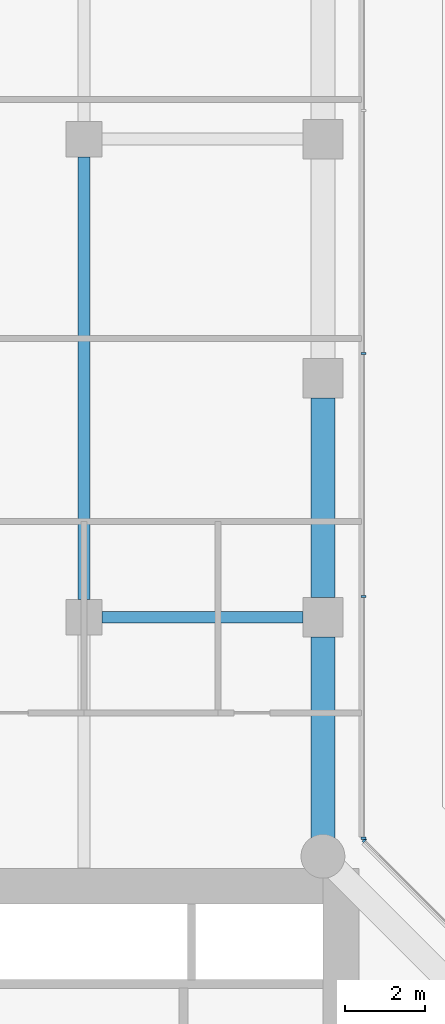
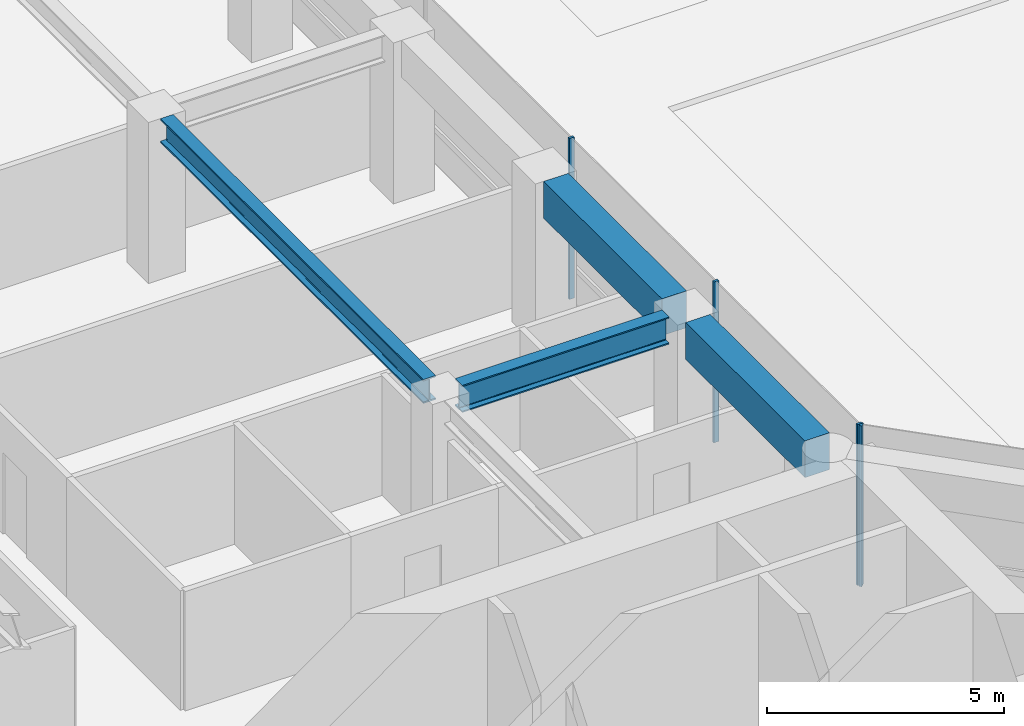
# One storey, part 12 of 31: 4 beams, 4 members, 2 elements without a shape of their own.
"""IFC4 building model written with IfcOpenShell, lengths in metres."""

from ifc_helpers import new_model, si_unit, direction, frame, origin, origin_2d, place, context, subcontext, project, spatial, rectangle, i_section, extrude, material, layer, layer_set, material_profile, profile_set, type_object, element, aggregate, save


model = new_model("IFC4")

# Units and contexts
model_context = context("Model", 3, precision=1e-05, world=origin(), true_north=direction((0.0, 1.0)))
body_context = subcontext(model_context, "Body", "Model", "MODEL_VIEW")
ifc_project = project(units=[si_unit("LENGTHUNIT", "METRE"), si_unit("AREAUNIT", "SQUARE_METRE"), si_unit("VOLUMEUNIT", "CUBIC_METRE"), si_unit("PLANEANGLEUNIT", "RADIAN"), si_unit("MASSUNIT", "GRAM", prefix="KILO")], contexts=[model_context])

# Site, building, storey
site_placement = place(None, origin())
site = spatial("IfcSite", under=ifc_project, at=site_placement, CompositionType="ELEMENT")
building_placement = place(site_placement, origin())
building = spatial("IfcBuilding", under=site, at=building_placement, Name="Welwitschia Terrace Campus", CompositionType="ELEMENT")
storey_placement = place(building_placement, frame((0.0, 0.0, 11.0)))
storey = spatial("IfcBuildingStorey", under=building, at=storey_placement, Name="L02", CompositionType="ELEMENT", Elevation=11.0)

# Beam
ifc_material_1 = material(Name="Steel S355", Category="steel")
ifc_material_profile_1 = material_profile(ifc_material_1, i_section(OverallWidth=0.304931640625, OverallDepth=0.6201171875, WebThickness=0.02099609375, FlangeThickness=0.0400390625, FilletRadius=0.027099609375, at=origin_2d()))
ifc_profile_set_1 = profile_set([ifc_material_profile_1], Name="Steel S355")
beam_type_1 = type_object("IfcBeamType", Name="Interior girder HE 600 M", PredefinedType="BEAM", material=ifc_profile_set_1)
beam_1_placement = place(storey_placement, frame((18.0, 32.450439453125, 3.840087890625), z_axis=(0.0, 1.0, 0.0), x_axis=(-1.0, 0.0, 0.0)))
element("IfcBeam", 1, at=beam_1_placement, inside=storey, type_object=beam_type_1, Name="Girder GB1", PredefinedType="BEAM", context=body_context, shape_type="SweptSolid", body=[
    extrude(i_section(OverallWidth=0.304931640625, OverallDepth=0.6201171875, WebThickness=0.02099609375, FlangeThickness=0.0400390625, FilletRadius=0.027099609375, at=origin_2d()), origin(), (0.0, 0.0, 1.0), 11.09912109375),
])

# Curtain wall, member
ifc_material_2 = material(Name="Bronze anodised aluminium", Category="aluminium")
ifc_layer = layer(ifc_material_2, 0.1201171875)
ifc_layer_set = layer_set([ifc_layer], Name="Bronze anodised aluminium")
curtain_wall_type = type_object("IfcCurtainWallType", Name="Curtain wall CW2 tower 6000", PredefinedType="NOTDEFINED", material=ifc_layer_set)
curtain_wall_1_placement = place(storey_placement, origin())
curtain_wall_1 = element("IfcCurtainWall", 2, at=curtain_wall_1_placement, inside=storey, type_object=curtain_wall_type, Name="CW L02.6.0", PredefinedType="NOTDEFINED")
ifc_material_3 = material(Name="Bronze anodised aluminium", Category="aluminium")
ifc_material_profile_2 = material_profile(ifc_material_3, rectangle(XDim=0.1201171875, YDim=0.06005859375, at=origin_2d()))
ifc_profile_set_2 = profile_set([ifc_material_profile_2], Name="Bronze anodised aluminium")
member_type = type_object("IfcMemberType", Name="Mullion 60x120", PredefinedType="MULLION", material=ifc_profile_set_2)
member_1_placement = place(storey_placement, frame((25.041259765625, 26.4013671875, 0.0), z_axis=(0.0, 0.0, 1.0), x_axis=(-0.707106781187, -0.707106781187, 0.0)))
member_1 = element("IfcMember", 3, at=member_1_placement, type_object=member_type, Name="Mullion L02.6.0.1", PredefinedType="MULLION", context=body_context, shape_type="SweptSolid", body=[
    extrude(rectangle(XDim=0.1201171875, YDim=0.06005859375, at=origin_2d()), origin(), (0.0, 0.0, 1.0), 4.14990234375),
])
aggregate(curtain_wall_1, [member_1])

# Curtain wall, members
curtain_wall_2_placement = place(storey_placement, origin())
curtain_wall_2 = element("IfcCurtainWall", 4, at=curtain_wall_2_placement, inside=storey, type_object=curtain_wall_type, Name="CW L02.7.0", PredefinedType="NOTDEFINED")
member_2_placement = place(storey_placement, frame((25.02001953125, 26.452392578125, 0.0), z_axis=(0.0, 0.0, 1.0), x_axis=(-1.0, 0.0, 0.0)))
member_2 = element("IfcMember", 5, at=member_2_placement, type_object=member_type, Name="Mullion L02.7.0.0", PredefinedType="MULLION", context=body_context, shape_type="SweptSolid", body=[
    extrude(rectangle(XDim=0.1201171875, YDim=0.06005859375, at=origin_2d()), origin(), (0.0, 0.0, 1.0), 4.14990234375),
])
member_3_placement = place(storey_placement, frame((25.02001953125, 32.52197265625, 0.0), z_axis=(0.0, 0.0, 1.0), x_axis=(-1.0, 0.0, 0.0)))
member_3 = element("IfcMember", 6, at=member_3_placement, type_object=member_type, Name="Mullion L02.7.0.1", PredefinedType="MULLION", context=body_context, shape_type="SweptSolid", body=[
    extrude(rectangle(XDim=0.1201171875, YDim=0.06005859375, at=origin_2d()), origin(), (0.0, 0.0, 1.0), 4.14990234375),
])
member_4_placement = place(storey_placement, frame((25.02001953125, 38.62158203125, 0.0), z_axis=(0.0, 0.0, 1.0), x_axis=(-1.0, 0.0, 0.0)))
member_4 = element("IfcMember", 7, at=member_4_placement, type_object=member_type, Name="Mullion L02.7.0.2", PredefinedType="MULLION", context=body_context, shape_type="SweptSolid", body=[
    extrude(rectangle(XDim=0.1201171875, YDim=0.06005859375, at=origin_2d()), origin(), (0.0, 0.0, 1.0), 4.14990234375),
])
aggregate(curtain_wall_2, [member_2, member_3, member_4])

# Beams
ifc_material_4 = material(Name="Steel S355", Category="steel")
ifc_material_profile_3 = material_profile(ifc_material_4, i_section(OverallWidth=0.300048828125, OverallDepth=0.699951171875, WebThickness=0.01708984375, FlangeThickness=0.031982421875, FilletRadius=0.027099609375, at=origin_2d()))
ifc_profile_set_3 = profile_set([ifc_material_profile_3], Name="Steel S355")
beam_type_2 = type_object("IfcBeamType", Name="Primary beam HE 700 B", PredefinedType="BEAM", material=ifc_profile_set_3)
beam_2_placement = place(storey_placement, frame((23.49951171875, 32.0, 3.800048828125), z_axis=(-1.0, 0.0, 0.0), x_axis=(0.0, -1.0, 0.0)))
element("IfcBeam", 8, at=beam_2_placement, inside=storey, type_object=beam_type_2, Name="Primary beam PB1", PredefinedType="BEAM", context=body_context, shape_type="SweptSolid", body=[
    extrude(i_section(OverallWidth=0.300048828125, OverallDepth=0.699951171875, WebThickness=0.01708984375, FlangeThickness=0.031982421875, FilletRadius=0.027099609375, at=origin_2d()), origin(), (0.0, 0.0, 1.0), 5.049072265625),
])
ifc_material_5 = material(Name="Concrete C60/75", Category="concrete")
ifc_material_profile_4 = material_profile(ifc_material_5, rectangle(XDim=0.60009765625, YDim=0.949951171875, at=origin_2d()))
ifc_profile_set_4 = profile_set([ifc_material_profile_4], Name="Concrete C60/75")
beam_type_3 = type_object("IfcBeamType", Name="Ring spandrel 600x950", PredefinedType="SPANDREL", material=ifc_profile_set_4)
beam_3_placement = place(storey_placement, frame((24.0, 26.46142578125, 3.675048828125), z_axis=(0.0, 1.0, 0.0), x_axis=(-1.0, 0.0, 0.0)))
element("IfcBeam", 9, at=beam_3_placement, inside=storey, type_object=beam_type_3, Name="Spandrel SP1", PredefinedType="SPANDREL", context=body_context, shape_type="SweptSolid", body=[
    extrude(rectangle(XDim=0.60009765625, YDim=0.949951171875, at=origin_2d()), origin(), (0.0, 0.0, 1.0), 5.0380859375),
])
beam_4_placement = place(storey_placement, frame((24.0, 32.50048828125, 3.675048828125), z_axis=(0.0, 1.0, 0.0), x_axis=(-1.0, 0.0, 0.0)))
element("IfcBeam", 10, at=beam_4_placement, inside=storey, type_object=beam_type_3, Name="Spandrel SP1", PredefinedType="SPANDREL", context=body_context, shape_type="SweptSolid", body=[
    extrude(rectangle(XDim=0.60009765625, YDim=0.949951171875, at=origin_2d()), origin(), (0.0, 0.0, 1.0), 4.9990234375),
])

save(model, "model.ifc")
